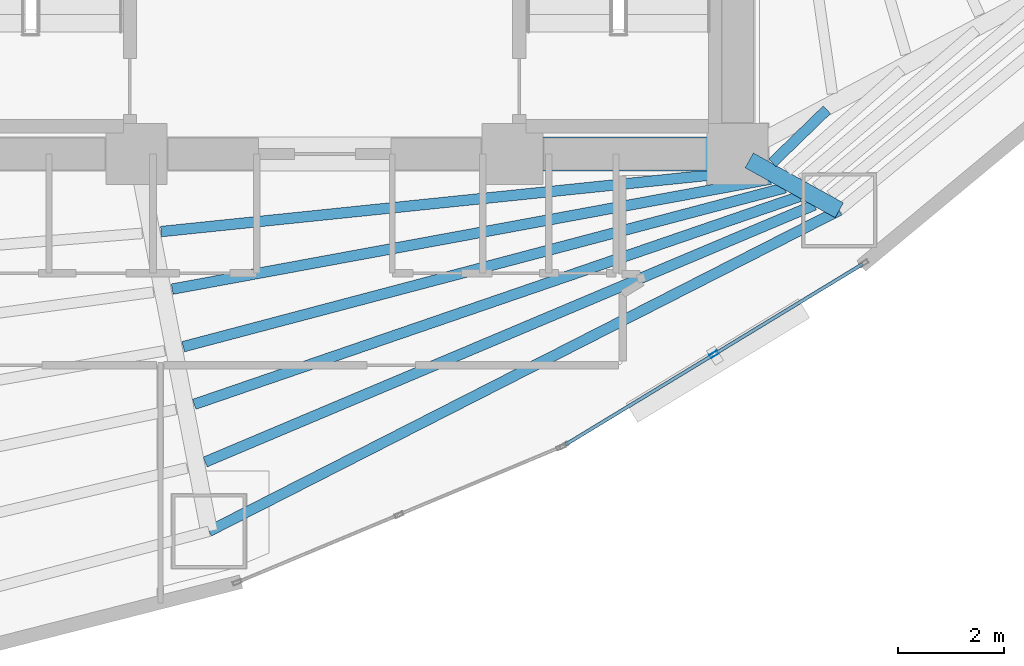
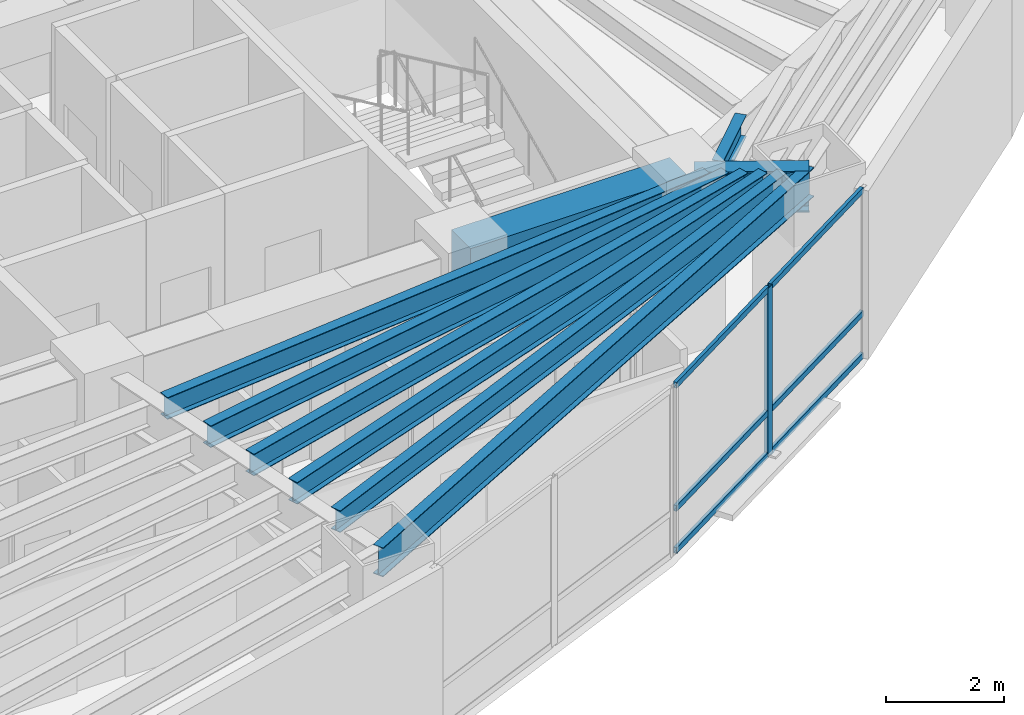
# One storey, part 5 of 17: 9 beams, 7 members, 1 element without a shape of its own.
"""IFC4 building model written with IfcOpenShell, lengths in metres."""

from ifc_helpers import new_model, si_unit, direction, frame, origin, origin_2d, place, context, subcontext, project, spatial, rectangle, hollow_rectangle, i_section, extrude, material, layer, layer_set, material_profile, profile_set, type_object, element, aggregate, save


model = new_model("IFC4")

# Units and contexts
model_context = context("Model", 3, precision=1e-05, world=origin(), true_north=direction((0.0, 1.0)))
body_context = subcontext(model_context, "Body", "Model", "MODEL_VIEW")
ifc_project = project(units=[si_unit("LENGTHUNIT", "METRE"), si_unit("AREAUNIT", "SQUARE_METRE"), si_unit("VOLUMEUNIT", "CUBIC_METRE"), si_unit("PLANEANGLEUNIT", "RADIAN"), si_unit("MASSUNIT", "GRAM", prefix="KILO")], contexts=[model_context])

# Site, building, storey
site_placement = place(None, origin())
site = spatial("IfcSite", under=ifc_project, at=site_placement, CompositionType="ELEMENT")
building_placement = place(site_placement, origin())
building = spatial("IfcBuilding", under=site, at=building_placement, Name="Menara Vayukalpa", CompositionType="ELEMENT")
storey_placement = place(building_placement, frame((0.0, 0.0, 42.47998046875)))
storey = spatial("IfcBuildingStorey", under=building, at=storey_placement, Name="L09", CompositionType="ELEMENT", Elevation=42.47998046875)

# Beams
ifc_material_1 = material(Name="Concrete C60/75", Category="concrete")
ifc_material_profile_1 = material_profile(ifc_material_1, rectangle(XDim=0.64990234375, YDim=0.85009765625, at=origin_2d()), Name="RC 650x850")
ifc_profile_set_1 = profile_set([ifc_material_profile_1], Name="Concrete C60/75")
beam_type_1 = type_object("IfcBeamType", Name="BM-CB1", PredefinedType="BEAM", material=ifc_profile_set_1)
beam_1_placement = place(storey_placement, frame((29.14990234375, 17.199951171875, 3.044921875), z_axis=(1.0, 0.0, 0.0), x_axis=(0.0, 1.0, 0.0)))
element("IfcBeam", 1, at=beam_1_placement, inside=storey, type_object=beam_type_1, Name="L09 Core Tie Beam CBR3", PredefinedType="BEAM", context=body_context, shape_type="SweptSolid", body=[
    extrude(rectangle(XDim=0.64990234375, YDim=0.85009765625, at=origin_2d()), origin(), (0.0, 0.0, 1.0), 4.25),
])
ifc_material_2 = material(Name="Steel S355", Category="steel")
ifc_material_profile_2 = material_profile(ifc_material_2, i_section(OverallWidth=0.320068359375, OverallDepth=0.85009765625, WebThickness=0.01611328125, FlangeThickness=0.030029296875, at=origin_2d()), Name="WF 850x320x16x30")
ifc_profile_set_2 = profile_set([ifc_material_profile_2], Name="Steel S355")
beam_type_2 = type_object("IfcBeamType", Name="BM-PG2", PredefinedType="BEAM", material=ifc_profile_set_2)
beam_2_placement = place(storey_placement, frame((33.61865234375, 17.078857421875, 3.044921875), z_axis=(0.87459548214, -0.484853320727, 0.0), x_axis=(0.484853320727, 0.87459548214, 0.0)))
element("IfcBeam", 2, at=beam_2_placement, inside=storey, type_object=beam_type_2, Name="L09 Primary Radial Girder RG09", PredefinedType="BEAM", context=body_context, shape_type="SweptSolid", body=[
    extrude(i_section(OverallWidth=0.320068359375, OverallDepth=0.85009765625, WebThickness=0.01611328125, FlangeThickness=0.030029296875, at=origin_2d()), origin(), (0.0, 0.0, 1.0), 1.943115234375),
])
ifc_material_3 = material(Name="Steel S355", Category="steel")
ifc_material_profile_3 = material_profile(ifc_material_3, i_section(OverallWidth=0.199951171875, OverallDepth=0.449951171875, WebThickness=0.009033203125, FlangeThickness=0.013916015625, at=origin_2d()), Name="WF 450x200x9x14")
ifc_profile_set_3 = profile_set([ifc_material_profile_3], Name="Steel S355")
beam_type_3 = type_object("IfcBeamType", Name="BM-SJ1", PredefinedType="JOIST", material=ifc_profile_set_3)
beam_3_placement = place(storey_placement, frame((22.514404296875, 15.735107421875, 3.2451171875), z_axis=(0.994746828953, 0.102365747631, 0.0), x_axis=(-0.102365747631, 0.994746828953, 0.0)))
element("IfcBeam", 3, at=beam_3_placement, inside=storey, type_object=beam_type_3, Name="L09 Secondary Floor Joist SJ08-1", PredefinedType="JOIST", context=body_context, shape_type="SweptSolid", body=[
    extrude(i_section(OverallWidth=0.199951171875, OverallDepth=0.449951171875, WebThickness=0.009033203125, FlangeThickness=0.013916015625, at=origin_2d()), origin(), (0.0, 0.0, 1.0), 11.29052734375),
])
beam_4_placement = place(storey_placement, frame((22.723876953125, 14.648681640625, 3.2451171875), z_axis=(0.983504975359, 0.180881075419, 0.0), x_axis=(-0.180881075419, 0.983504975359, 0.0)))
element("IfcBeam", 4, at=beam_4_placement, inside=storey, type_object=beam_type_3, Name="L09 Secondary Floor Joist SJ08-2", PredefinedType="JOIST", context=body_context, shape_type="SweptSolid", body=[
    extrude(i_section(OverallWidth=0.199951171875, OverallDepth=0.449951171875, WebThickness=0.009033203125, FlangeThickness=0.013916015625, at=origin_2d()), origin(), (0.0, 0.0, 1.0), 11.48486328125),
])
beam_5_placement = place(storey_placement, frame((22.932373046875, 13.561767578125, 3.2451171875), z_axis=(0.966863757537, 0.255292918746, 0.0), x_axis=(-0.255292918746, 0.966863757537, 0.0)))
element("IfcBeam", 5, at=beam_5_placement, inside=storey, type_object=beam_type_3, Name="L09 Secondary Floor Joist SJ08-3", PredefinedType="JOIST", context=body_context, shape_type="SweptSolid", body=[
    extrude(i_section(OverallWidth=0.199951171875, OverallDepth=0.449951171875, WebThickness=0.009033203125, FlangeThickness=0.013916015625, at=origin_2d()), origin(), (0.0, 0.0, 1.0), 11.751220703125),
])
beam_6_placement = place(storey_placement, frame((23.14013671875, 12.473876953125, 3.2451171875), z_axis=(0.945794261669, 0.324766400038, 0.0), x_axis=(-0.324766400038, 0.945794261669, 0.0)))
element("IfcBeam", 6, at=beam_6_placement, inside=storey, type_object=beam_type_3, Name="L09 Secondary Floor Joist SJ08-4", PredefinedType="JOIST", context=body_context, shape_type="SweptSolid", body=[
    extrude(i_section(OverallWidth=0.199951171875, OverallDepth=0.449951171875, WebThickness=0.009033203125, FlangeThickness=0.013916015625, at=origin_2d()), origin(), (0.0, 0.0, 1.0), 12.0849609375),
])
beam_7_placement = place(storey_placement, frame((23.34716796875, 11.385009765625, 3.2451171875), z_axis=(0.921359344435, 0.38871192215, 0.0), x_axis=(-0.38871192215, 0.921359344435, 0.0)))
element("IfcBeam", 7, at=beam_7_placement, inside=storey, type_object=beam_type_3, Name="L09 Secondary Floor Joist SJ08-5", PredefinedType="JOIST", context=body_context, shape_type="SweptSolid", body=[
    extrude(i_section(OverallWidth=0.199951171875, OverallDepth=0.449951171875, WebThickness=0.009033203125, FlangeThickness=0.013916015625, at=origin_2d()), origin(), (0.0, 0.0, 1.0), 12.48046875),
])
beam_8_placement = place(storey_placement, frame((34.0537109375, 17.03466796875, 3.2451171875), z_axis=(0.717488193219, 0.696570665899, 0.0), x_axis=(-0.696570665899, 0.717488193219, 0.0)))
element("IfcBeam", 8, at=beam_8_placement, inside=storey, type_object=beam_type_3, Name="L09 Secondary Floor Joist SJ09-1", PredefinedType="JOIST", context=body_context, shape_type="SweptSolid", body=[
    extrude(i_section(OverallWidth=0.199951171875, OverallDepth=0.449951171875, WebThickness=0.009033203125, FlangeThickness=0.013916015625, at=origin_2d()), origin(), (0.0, 0.0, 1.0), 1.435546875),
])
ifc_material_4 = material(Name="Steel S355", Category="steel")
ifc_material_profile_4 = material_profile(ifc_material_4, i_section(OverallWidth=0.199951171875, OverallDepth=0.60009765625, WebThickness=0.010986328125, FlangeThickness=0.01708984375, at=origin_2d()), Name="WF 600x200x11x17")
ifc_profile_set_4 = profile_set([ifc_material_profile_4], Name="Steel S355")
beam_type_4 = type_object("IfcBeamType", Name="BM-SP1", PredefinedType="SPANDREL", material=ifc_profile_set_4)
beam_9_placement = place(storey_placement, frame((23.41943359375, 10.0771484375, 3.169921875), z_axis=(0.891100743313, 0.453805536841, 0.0), x_axis=(-0.453805536841, 0.891100743313, 0.0)))
element("IfcBeam", 9, at=beam_9_placement, inside=storey, type_object=beam_type_4, Name="L09 Perimeter Spandrel Beam SP08", PredefinedType="SPANDREL", context=body_context, shape_type="SweptSolid", body=[
    extrude(i_section(OverallWidth=0.199951171875, OverallDepth=0.60009765625, WebThickness=0.010986328125, FlangeThickness=0.01708984375, at=origin_2d()), origin(), (0.0, 0.0, 1.0), 13.352783203125),
])

# Curtain wall, members
ifc_material_5 = material(Name="Anodised Terracotta Aluminium Alloy 6063-T6", Category="masonry")
ifc_layer = layer(ifc_material_5, 0.1650390625)
ifc_layer_set = layer_set([ifc_layer], Name="Anodised Terracotta Aluminium Alloy 6063-T6")
curtain_wall_type = type_object("IfcCurtainWallType", Name="CW-CW2", PredefinedType="USERDEFINED", material=ifc_layer_set)
curtain_wall_placement = place(storey_placement, origin())
curtain_wall = element("IfcCurtainWall", 10, at=curtain_wall_placement, inside=storey, type_object=curtain_wall_type, Name="L09 Low Rise Terracotta Ribbon Curtain Wall CW2 17", ObjectType="UNITISED", PredefinedType="USERDEFINED")
ifc_material_6 = material(Name="Anodised Terracotta Aluminium Alloy 6063-T6", Category="masonry")
ifc_material_profile_5 = material_profile(ifc_material_6, hollow_rectangle(XDim=0.070068359375, YDim=0.1650390625, WallThickness=0.00390625, at=origin_2d()), Name="ALU 70x165x4")
ifc_profile_set_5 = profile_set([ifc_material_profile_5], Name="Anodised Terracotta Aluminium Alloy 6063-T6")
member_type_1 = type_object("IfcMemberType", Name="CWM-CW2", PredefinedType="MULLION", material=ifc_profile_set_5)
member_1_placement = place(storey_placement, frame((32.9560546875, 13.418701171875, 0.0), z_axis=(0.0, 0.0, 1.0), x_axis=(-0.519181964377, 0.854663727945, 0.0)))
member_1 = element("IfcMember", 11, at=member_1_placement, type_object=member_type_1, Name="CW2 mullion 2", PredefinedType="MULLION", context=body_context, shape_type="SweptSolid", body=[
    extrude(hollow_rectangle(XDim=0.070068359375, YDim=0.1650390625, WallThickness=0.00390625, at=origin_2d()), origin(), (0.0, 0.0, 1.0), 3.469970703125),
])
ifc_material_7 = material(Name="Anodised Terracotta Aluminium Alloy 6063-T6", Category="masonry")
ifc_material_profile_6 = material_profile(ifc_material_7, hollow_rectangle(XDim=0.06494140625, YDim=0.1201171875, WallThickness=0.00341796875, at=origin_2d()), Name="ALU 65x120x3.5")
ifc_profile_set_6 = profile_set([ifc_material_profile_6], Name="Anodised Terracotta Aluminium Alloy 6063-T6")
member_type_2 = type_object("IfcMemberType", Name="CWT-CW2", PredefinedType="USERDEFINED", material=ifc_profile_set_6)
member_2_placement = place(storey_placement, frame((30.155029296875, 11.717041015625, 0.032470703125), z_axis=(0.854676552714, 0.519160851992, 0.0), x_axis=(-0.519160851992, 0.854676552714, 0.0)))
member_2 = element("IfcMember", 12, at=member_2_placement, type_object=member_type_2, Name="CW2 transom 1.1", ObjectType="TRANSOM", PredefinedType="USERDEFINED", context=body_context, shape_type="SweptSolid", body=[
    extrude(hollow_rectangle(XDim=0.06494140625, YDim=0.1201171875, WallThickness=0.00341796875, at=origin_2d()), origin(), (0.0, 0.0, 1.0), 3.242431640625),
])
member_3_placement = place(storey_placement, frame((30.155029296875, 11.717041015625, 0.89990234375), z_axis=(0.854676552714, 0.519160851992, 0.0), x_axis=(-0.519160851992, 0.854676552714, 0.0)))
member_3 = element("IfcMember", 13, at=member_3_placement, type_object=member_type_2, Name="CW2 transom 1.2", ObjectType="TRANSOM", PredefinedType="USERDEFINED", context=body_context, shape_type="SweptSolid", body=[
    extrude(hollow_rectangle(XDim=0.06494140625, YDim=0.1201171875, WallThickness=0.00341796875, at=origin_2d()), origin(), (0.0, 0.0, 1.0), 3.242431640625),
])
member_4_placement = place(storey_placement, frame((30.155029296875, 11.717041015625, 3.4375), z_axis=(0.854676552714, 0.519160851992, 0.0), x_axis=(-0.519160851992, 0.854676552714, 0.0)))
member_4 = element("IfcMember", 14, at=member_4_placement, type_object=member_type_2, Name="CW2 transom 1.3", ObjectType="TRANSOM", PredefinedType="USERDEFINED", context=body_context, shape_type="SweptSolid", body=[
    extrude(hollow_rectangle(XDim=0.06494140625, YDim=0.1201171875, WallThickness=0.00341796875, at=origin_2d()), origin(), (0.0, 0.0, 1.0), 3.242431640625),
])
member_5_placement = place(storey_placement, frame((32.986083984375, 13.436767578125, 0.032470703125), z_axis=(0.854643142641, 0.519215849851, 0.0), x_axis=(-0.519215849851, 0.854643142641, 0.0)))
member_5 = element("IfcMember", 15, at=member_5_placement, type_object=member_type_2, Name="CW2 transom 2.1", ObjectType="TRANSOM", PredefinedType="USERDEFINED", context=body_context, shape_type="SweptSolid", body=[
    extrude(hollow_rectangle(XDim=0.06494140625, YDim=0.1201171875, WallThickness=0.00341796875, at=origin_2d()), origin(), (0.0, 0.0, 1.0), 3.24267578125),
])
member_6_placement = place(storey_placement, frame((32.986083984375, 13.436767578125, 0.89990234375), z_axis=(0.854643142641, 0.519215849851, 0.0), x_axis=(-0.519215849851, 0.854643142641, 0.0)))
member_6 = element("IfcMember", 16, at=member_6_placement, type_object=member_type_2, Name="CW2 transom 2.2", ObjectType="TRANSOM", PredefinedType="USERDEFINED", context=body_context, shape_type="SweptSolid", body=[
    extrude(hollow_rectangle(XDim=0.06494140625, YDim=0.1201171875, WallThickness=0.00341796875, at=origin_2d()), origin(), (0.0, 0.0, 1.0), 3.24267578125),
])
member_7_placement = place(storey_placement, frame((32.986083984375, 13.436767578125, 3.4375), z_axis=(0.854643142641, 0.519215849851, 0.0), x_axis=(-0.519215849851, 0.854643142641, 0.0)))
member_7 = element("IfcMember", 17, at=member_7_placement, type_object=member_type_2, Name="CW2 transom 2.3", ObjectType="TRANSOM", PredefinedType="USERDEFINED", context=body_context, shape_type="SweptSolid", body=[
    extrude(hollow_rectangle(XDim=0.06494140625, YDim=0.1201171875, WallThickness=0.00341796875, at=origin_2d()), origin(), (0.0, 0.0, 1.0), 3.24267578125),
])
aggregate(curtain_wall, [member_1, member_2, member_3, member_4, member_5, member_6, member_7])

save(model, "model.ifc")
